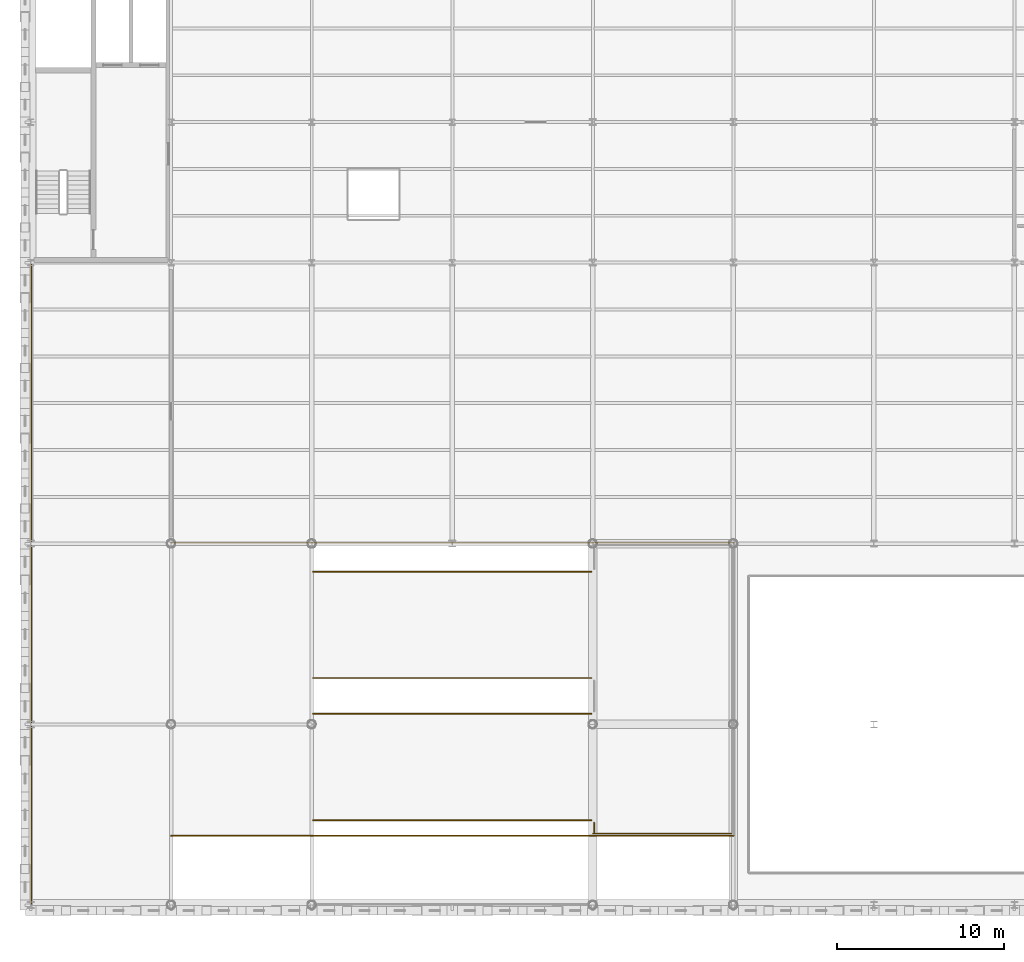
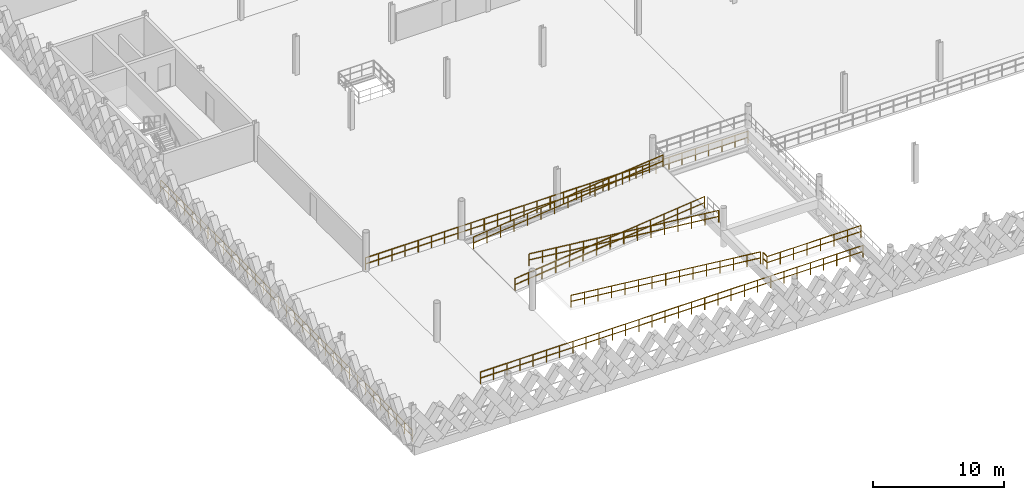
# One storey, part 69 of 79: 9 railings.
"""IFC4 building model written with IfcOpenShell, lengths in metres."""

from ifc_helpers import new_model, si_unit, direction, frame, origin, origin_2d, place, context, subcontext, project, spatial, circle, extrude, material, type_object, element, save


model = new_model("IFC4")

# Units and contexts
model_context = context("Model", 3, precision=1e-05, world=origin(), true_north=direction((0.0, 1.0)))
body_context = subcontext(model_context, "Body", "Model", "MODEL_VIEW")
ifc_project = project(units=[si_unit("LENGTHUNIT", "METRE"), si_unit("AREAUNIT", "SQUARE_METRE"), si_unit("VOLUMEUNIT", "CUBIC_METRE"), si_unit("PLANEANGLEUNIT", "RADIAN"), si_unit("MASSUNIT", "GRAM", prefix="KILO"), si_unit("THERMODYNAMICTEMPERATUREUNIT", "KELVIN"), si_unit("POWERUNIT", "WATT")], contexts=[model_context])

# Site, building, storey
site_placement = place(None, origin())
site = spatial("IfcSite", under=ifc_project, at=site_placement, CompositionType="ELEMENT")
building_placement = place(site_placement, origin())
building = spatial("IfcBuilding", under=site, at=building_placement, Name="Tembeka Court Mobility Hub", CompositionType="ELEMENT")
storey_placement = place(building_placement, frame((0.0, 0.0, 9.0)))
storey = spatial("IfcBuildingStorey", under=building, at=storey_placement, Name="L02", CompositionType="ELEMENT", Elevation=9.0)

# Railings
ifc_material = material(Name="Painted galvanised steel balustrade", Category="steel")
railing_type = type_object("IfcRailingType", Name="RL-GR02", PredefinedType="GUARDRAIL", material=ifc_material)
railing_1_placement = place(storey_placement, frame((0.050048828125, 0.080078125, 0.0)))
element("IfcRailing", 1, at=railing_1_placement, inside=storey, type_object=railing_type, Name="Perimeter guard GR02-0093", PredefinedType="GUARDRAIL", context=body_context, shape_type="SweptSolid", body=[
    extrude(circle(Radius=0.02392578125, at=origin_2d()), frame((0.0, 0.0, 1.09619140625), z_axis=(0.0, 1.0, 0.0), x_axis=(-1.0, 0.0, 0.0)), (0.0, 0.0, 1.0), 38.2900390625),
    extrude(circle(Radius=0.02392578125, at=origin_2d()), frame((0.0, 0.0, 0.5361328125), z_axis=(0.0, 1.0, 0.0), x_axis=(-1.0, 0.0, 0.0)), (0.0, 0.0, 1.0), 38.2900390625),
    extrude(circle(Radius=0.02099609375, at=origin_2d()), origin(), (0.0, 0.0, 1.0), 1.072021484375),
    extrude(circle(Radius=0.02099609375, at=origin_2d()), frame((0.0, 1.196533203125, 0.0)), (0.0, 0.0, 1.0), 1.072021484375),
    extrude(circle(Radius=0.02099609375, at=origin_2d()), frame((0.0, 2.39306640625, 0.0)), (0.0, 0.0, 1.0), 1.072021484375),
    extrude(circle(Radius=0.02099609375, at=origin_2d()), frame((0.0, 3.589599609375, 0.0)), (0.0, 0.0, 1.0), 1.072021484375),
    extrude(circle(Radius=0.02099609375, at=origin_2d()), frame((0.0, 4.7861328125, 0.0)), (0.0, 0.0, 1.0), 1.072021484375),
    extrude(circle(Radius=0.02099609375, at=origin_2d()), frame((0.0, 5.98291015625, 0.0)), (0.0, 0.0, 1.0), 1.072021484375),
    extrude(circle(Radius=0.02099609375, at=origin_2d()), frame((0.0, 7.179443359375, 0.0)), (0.0, 0.0, 1.0), 1.072021484375),
    extrude(circle(Radius=0.02099609375, at=origin_2d()), frame((0.0, 8.3759765625, 0.0)), (0.0, 0.0, 1.0), 1.072021484375),
    extrude(circle(Radius=0.02099609375, at=origin_2d()), frame((0.0, 9.572509765625, 0.0)), (0.0, 0.0, 1.0), 1.072021484375),
    extrude(circle(Radius=0.02099609375, at=origin_2d()), frame((0.0, 10.76904296875, 0.0)), (0.0, 0.0, 1.0), 1.072021484375),
    extrude(circle(Radius=0.02099609375, at=origin_2d()), frame((0.0, 11.965576171875, 0.0)), (0.0, 0.0, 1.0), 1.072021484375),
    extrude(circle(Radius=0.02099609375, at=origin_2d()), frame((0.0, 13.162109375, 0.0)), (0.0, 0.0, 1.0), 1.072021484375),
    extrude(circle(Radius=0.02099609375, at=origin_2d()), frame((0.0, 14.35888671875, 0.0)), (0.0, 0.0, 1.0), 1.072021484375),
    extrude(circle(Radius=0.02099609375, at=origin_2d()), frame((0.0, 15.555419921875, 0.0)), (0.0, 0.0, 1.0), 1.072021484375),
    extrude(circle(Radius=0.02099609375, at=origin_2d()), frame((0.0, 16.751953125, 0.0)), (0.0, 0.0, 1.0), 1.072021484375),
    extrude(circle(Radius=0.02099609375, at=origin_2d()), frame((0.0, 17.948486328125, 0.0)), (0.0, 0.0, 1.0), 1.072021484375),
    extrude(circle(Radius=0.02099609375, at=origin_2d()), frame((0.0, 19.14501953125, 0.0)), (0.0, 0.0, 1.0), 1.072021484375),
    extrude(circle(Radius=0.02099609375, at=origin_2d()), frame((0.0, 20.341552734375, 0.0)), (0.0, 0.0, 1.0), 1.072021484375),
    extrude(circle(Radius=0.02099609375, at=origin_2d()), frame((0.0, 21.5380859375, 0.0)), (0.0, 0.0, 1.0), 1.072021484375),
    extrude(circle(Radius=0.02099609375, at=origin_2d()), frame((0.0, 22.734619140625, 0.0)), (0.0, 0.0, 1.0), 1.072021484375),
    extrude(circle(Radius=0.02099609375, at=origin_2d()), frame((0.0, 23.93115234375, 0.0)), (0.0, 0.0, 1.0), 1.072021484375),
    extrude(circle(Radius=0.02099609375, at=origin_2d()), frame((0.0, 25.1279296875, 0.0)), (0.0, 0.0, 1.0), 1.072021484375),
    extrude(circle(Radius=0.02099609375, at=origin_2d()), frame((0.0, 26.324462890625, 0.0)), (0.0, 0.0, 1.0), 1.072021484375),
    extrude(circle(Radius=0.02099609375, at=origin_2d()), frame((0.0, 27.52099609375, 0.0)), (0.0, 0.0, 1.0), 1.072021484375),
    extrude(circle(Radius=0.02099609375, at=origin_2d()), frame((0.0, 28.717529296875, 0.0)), (0.0, 0.0, 1.0), 1.072021484375),
    extrude(circle(Radius=0.02099609375, at=origin_2d()), frame((0.0, 29.9140625, 0.0)), (0.0, 0.0, 1.0), 1.072021484375),
    extrude(circle(Radius=0.02099609375, at=origin_2d()), frame((0.0, 31.110595703125, 0.0)), (0.0, 0.0, 1.0), 1.072021484375),
    extrude(circle(Radius=0.02099609375, at=origin_2d()), frame((0.0, 32.30712890625, 0.0)), (0.0, 0.0, 1.0), 1.072021484375),
    extrude(circle(Radius=0.02099609375, at=origin_2d()), frame((0.0, 33.50390625, 0.0)), (0.0, 0.0, 1.0), 1.072021484375),
    extrude(circle(Radius=0.02099609375, at=origin_2d()), frame((0.0, 34.700439453125, 0.0)), (0.0, 0.0, 1.0), 1.072021484375),
    extrude(circle(Radius=0.02099609375, at=origin_2d()), frame((0.0, 35.89697265625, 0.0)), (0.0, 0.0, 1.0), 1.072021484375),
    extrude(circle(Radius=0.02099609375, at=origin_2d()), frame((0.0, 37.093505859375, 0.0)), (0.0, 0.0, 1.0), 1.072021484375),
    extrude(circle(Radius=0.02099609375, at=origin_2d()), frame((0.0, 38.2900390625, 0.0)), (0.0, 0.0, 1.0), 1.072021484375),
])
railing_2_placement = place(storey_placement, frame((8.3798828125, 4.14990234375, 0.0)))
element("IfcRailing", 2, at=railing_2_placement, inside=storey, type_object=railing_type, Name="Perimeter guard GR02-0265", PredefinedType="GUARDRAIL", context=body_context, shape_type="SweptSolid", body=[
    extrude(circle(Radius=0.02392578125, at=origin_2d()), frame((0.0, 0.0, 1.09619140625), z_axis=(1.0, 0.0, 0.0), x_axis=(0.0, 1.0, 0.0)), (0.0, 0.0, 1.0), 33.64013671875),
    extrude(circle(Radius=0.02392578125, at=origin_2d()), frame((0.0, 0.0, 0.5361328125), z_axis=(1.0, 0.0, 0.0), x_axis=(0.0, 1.0, 0.0)), (0.0, 0.0, 1.0), 33.64013671875),
    extrude(circle(Radius=0.02099609375, at=origin_2d()), origin(), (0.0, 0.0, 1.0), 1.072021484375),
    extrude(circle(Radius=0.02099609375, at=origin_2d()), frame((1.159912109375, 0.0, 0.0)), (0.0, 0.0, 1.0), 1.072021484375),
    extrude(circle(Radius=0.02099609375, at=origin_2d()), frame((2.320068359375, 0.0, 0.0)), (0.0, 0.0, 1.0), 1.072021484375),
    extrude(circle(Radius=0.02099609375, at=origin_2d()), frame((3.47998046875, 0.0, 0.0)), (0.0, 0.0, 1.0), 1.072021484375),
    extrude(circle(Radius=0.02099609375, at=origin_2d()), frame((4.64013671875, 0.0, 0.0)), (0.0, 0.0, 1.0), 1.072021484375),
    extrude(circle(Radius=0.02099609375, at=origin_2d()), frame((5.800048828125, 0.0, 0.0)), (0.0, 0.0, 1.0), 1.072021484375),
    extrude(circle(Radius=0.02099609375, at=origin_2d()), frame((6.9599609375, 0.0, 0.0)), (0.0, 0.0, 1.0), 1.072021484375),
    extrude(circle(Radius=0.02099609375, at=origin_2d()), frame((8.1201171875, 0.0, 0.0)), (0.0, 0.0, 1.0), 1.072021484375),
    extrude(circle(Radius=0.02099609375, at=origin_2d()), frame((9.280029296875, 0.0, 0.0)), (0.0, 0.0, 1.0), 1.072021484375),
    extrude(circle(Radius=0.02099609375, at=origin_2d()), frame((10.43994140625, 0.0, 0.0)), (0.0, 0.0, 1.0), 1.072021484375),
    extrude(circle(Radius=0.02099609375, at=origin_2d()), frame((11.60009765625, 0.0, 0.0)), (0.0, 0.0, 1.0), 1.072021484375),
    extrude(circle(Radius=0.02099609375, at=origin_2d()), frame((12.760009765625, 0.0, 0.0)), (0.0, 0.0, 1.0), 1.072021484375),
    extrude(circle(Radius=0.02099609375, at=origin_2d()), frame((13.920166015625, 0.0, 0.0)), (0.0, 0.0, 1.0), 1.072021484375),
    extrude(circle(Radius=0.02099609375, at=origin_2d()), frame((15.080078125, 0.0, 0.0)), (0.0, 0.0, 1.0), 1.072021484375),
    extrude(circle(Radius=0.02099609375, at=origin_2d()), frame((16.239990234375, 0.0, 0.0)), (0.0, 0.0, 1.0), 1.072021484375),
    extrude(circle(Radius=0.02099609375, at=origin_2d()), frame((17.400146484375, 0.0, 0.0)), (0.0, 0.0, 1.0), 1.072021484375),
    extrude(circle(Radius=0.02099609375, at=origin_2d()), frame((18.56005859375, 0.0, 0.0)), (0.0, 0.0, 1.0), 1.072021484375),
    extrude(circle(Radius=0.02099609375, at=origin_2d()), frame((19.719970703125, 0.0, 0.0)), (0.0, 0.0, 1.0), 1.072021484375),
    extrude(circle(Radius=0.02099609375, at=origin_2d()), frame((20.880126953125, 0.0, 0.0)), (0.0, 0.0, 1.0), 1.072021484375),
    extrude(circle(Radius=0.02099609375, at=origin_2d()), frame((22.0400390625, 0.0, 0.0)), (0.0, 0.0, 1.0), 1.072021484375),
    extrude(circle(Radius=0.02099609375, at=origin_2d()), frame((23.2001953125, 0.0, 0.0)), (0.0, 0.0, 1.0), 1.072021484375),
    extrude(circle(Radius=0.02099609375, at=origin_2d()), frame((24.360107421875, 0.0, 0.0)), (0.0, 0.0, 1.0), 1.072021484375),
    extrude(circle(Radius=0.02099609375, at=origin_2d()), frame((25.52001953125, 0.0, 0.0)), (0.0, 0.0, 1.0), 1.072021484375),
    extrude(circle(Radius=0.02099609375, at=origin_2d()), frame((26.68017578125, 0.0, 0.0)), (0.0, 0.0, 1.0), 1.072021484375),
    extrude(circle(Radius=0.02099609375, at=origin_2d()), frame((27.840087890625, 0.0, 0.0)), (0.0, 0.0, 1.0), 1.072021484375),
    extrude(circle(Radius=0.02099609375, at=origin_2d()), frame((29.0, 0.0, 0.0)), (0.0, 0.0, 1.0), 1.072021484375),
    extrude(circle(Radius=0.02099609375, at=origin_2d()), frame((30.16015625, 0.0, 0.0)), (0.0, 0.0, 1.0), 1.072021484375),
    extrude(circle(Radius=0.02099609375, at=origin_2d()), frame((31.320068359375, 0.0, 0.0)), (0.0, 0.0, 1.0), 1.072021484375),
    extrude(circle(Radius=0.02099609375, at=origin_2d()), frame((32.480224609375, 0.0, 0.0)), (0.0, 0.0, 1.0), 1.072021484375),
    extrude(circle(Radius=0.02099609375, at=origin_2d()), frame((33.64013671875, 0.0, 0.0)), (0.0, 0.0, 1.0), 1.072021484375),
])
railing_3_placement = place(storey_placement, frame((8.3798828125, 21.64990234375, 0.0)))
element("IfcRailing", 3, at=railing_3_placement, inside=storey, type_object=railing_type, Name="Perimeter guard GR02-0266", PredefinedType="GUARDRAIL", context=body_context, shape_type="SweptSolid", body=[
    extrude(circle(Radius=0.02392578125, at=origin_2d()), frame((0.0, 0.0, 1.09619140625), z_axis=(1.0, 0.0, 0.0), x_axis=(0.0, 1.0, 0.0)), (0.0, 0.0, 1.0), 33.64013671875),
    extrude(circle(Radius=0.02392578125, at=origin_2d()), frame((0.0, 0.0, 0.5361328125), z_axis=(1.0, 0.0, 0.0), x_axis=(0.0, 1.0, 0.0)), (0.0, 0.0, 1.0), 33.64013671875),
    extrude(circle(Radius=0.02099609375, at=origin_2d()), origin(), (0.0, 0.0, 1.0), 1.072021484375),
    extrude(circle(Radius=0.02099609375, at=origin_2d()), frame((1.159912109375, 0.0, 0.0)), (0.0, 0.0, 1.0), 1.072021484375),
    extrude(circle(Radius=0.02099609375, at=origin_2d()), frame((2.320068359375, 0.0, 0.0)), (0.0, 0.0, 1.0), 1.072021484375),
    extrude(circle(Radius=0.02099609375, at=origin_2d()), frame((3.47998046875, 0.0, 0.0)), (0.0, 0.0, 1.0), 1.072021484375),
    extrude(circle(Radius=0.02099609375, at=origin_2d()), frame((4.64013671875, 0.0, 0.0)), (0.0, 0.0, 1.0), 1.072021484375),
    extrude(circle(Radius=0.02099609375, at=origin_2d()), frame((5.800048828125, 0.0, 0.0)), (0.0, 0.0, 1.0), 1.072021484375),
    extrude(circle(Radius=0.02099609375, at=origin_2d()), frame((6.9599609375, 0.0, 0.0)), (0.0, 0.0, 1.0), 1.072021484375),
    extrude(circle(Radius=0.02099609375, at=origin_2d()), frame((8.1201171875, 0.0, 0.0)), (0.0, 0.0, 1.0), 1.072021484375),
    extrude(circle(Radius=0.02099609375, at=origin_2d()), frame((9.280029296875, 0.0, 0.0)), (0.0, 0.0, 1.0), 1.072021484375),
    extrude(circle(Radius=0.02099609375, at=origin_2d()), frame((10.43994140625, 0.0, 0.0)), (0.0, 0.0, 1.0), 1.072021484375),
    extrude(circle(Radius=0.02099609375, at=origin_2d()), frame((11.60009765625, 0.0, 0.0)), (0.0, 0.0, 1.0), 1.072021484375),
    extrude(circle(Radius=0.02099609375, at=origin_2d()), frame((12.760009765625, 0.0, 0.0)), (0.0, 0.0, 1.0), 1.072021484375),
    extrude(circle(Radius=0.02099609375, at=origin_2d()), frame((13.920166015625, 0.0, 0.0)), (0.0, 0.0, 1.0), 1.072021484375),
    extrude(circle(Radius=0.02099609375, at=origin_2d()), frame((15.080078125, 0.0, 0.0)), (0.0, 0.0, 1.0), 1.072021484375),
    extrude(circle(Radius=0.02099609375, at=origin_2d()), frame((16.239990234375, 0.0, 0.0)), (0.0, 0.0, 1.0), 1.072021484375),
    extrude(circle(Radius=0.02099609375, at=origin_2d()), frame((17.400146484375, 0.0, 0.0)), (0.0, 0.0, 1.0), 1.072021484375),
    extrude(circle(Radius=0.02099609375, at=origin_2d()), frame((18.56005859375, 0.0, 0.0)), (0.0, 0.0, 1.0), 1.072021484375),
    extrude(circle(Radius=0.02099609375, at=origin_2d()), frame((19.719970703125, 0.0, 0.0)), (0.0, 0.0, 1.0), 1.072021484375),
    extrude(circle(Radius=0.02099609375, at=origin_2d()), frame((20.880126953125, 0.0, 0.0)), (0.0, 0.0, 1.0), 1.072021484375),
    extrude(circle(Radius=0.02099609375, at=origin_2d()), frame((22.0400390625, 0.0, 0.0)), (0.0, 0.0, 1.0), 1.072021484375),
    extrude(circle(Radius=0.02099609375, at=origin_2d()), frame((23.2001953125, 0.0, 0.0)), (0.0, 0.0, 1.0), 1.072021484375),
    extrude(circle(Radius=0.02099609375, at=origin_2d()), frame((24.360107421875, 0.0, 0.0)), (0.0, 0.0, 1.0), 1.072021484375),
    extrude(circle(Radius=0.02099609375, at=origin_2d()), frame((25.52001953125, 0.0, 0.0)), (0.0, 0.0, 1.0), 1.072021484375),
    extrude(circle(Radius=0.02099609375, at=origin_2d()), frame((26.68017578125, 0.0, 0.0)), (0.0, 0.0, 1.0), 1.072021484375),
    extrude(circle(Radius=0.02099609375, at=origin_2d()), frame((27.840087890625, 0.0, 0.0)), (0.0, 0.0, 1.0), 1.072021484375),
    extrude(circle(Radius=0.02099609375, at=origin_2d()), frame((29.0, 0.0, 0.0)), (0.0, 0.0, 1.0), 1.072021484375),
    extrude(circle(Radius=0.02099609375, at=origin_2d()), frame((30.16015625, 0.0, 0.0)), (0.0, 0.0, 1.0), 1.072021484375),
    extrude(circle(Radius=0.02099609375, at=origin_2d()), frame((31.320068359375, 0.0, 0.0)), (0.0, 0.0, 1.0), 1.072021484375),
    extrude(circle(Radius=0.02099609375, at=origin_2d()), frame((32.480224609375, 0.0, 0.0)), (0.0, 0.0, 1.0), 1.072021484375),
    extrude(circle(Radius=0.02099609375, at=origin_2d()), frame((33.64013671875, 0.0, 0.0)), (0.0, 0.0, 1.0), 1.072021484375),
])
railing_4_placement = place(storey_placement, frame((16.869873046875, 13.570068359375, 0.003173828125)))
element("IfcRailing", 4, at=railing_4_placement, inside=storey, type_object=railing_type, Name="Perimeter guard GR02-0307", PredefinedType="GUARDRAIL", context=body_context, shape_type="SweptSolid", body=[
    extrude(circle(Radius=0.02392578125, at=origin_2d()), frame((0.0, 0.0, 1.09619140625), z_axis=(0.994254289674, 0.0, 0.107043951089), x_axis=(0.0, 1.0, 0.0)), (0.0, 0.0, 1.0), 16.756591796875),
    extrude(circle(Radius=0.02392578125, at=origin_2d()), frame((0.0, 0.0, 0.5361328125), z_axis=(0.994254289674, 0.0, 0.107043951089), x_axis=(0.0, 1.0, 0.0)), (0.0, 0.0, 1.0), 16.756591796875),
    extrude(circle(Radius=0.02099609375, at=origin_2d()), origin(), (0.0, 0.0, 1.0), 1.072021484375),
    extrude(circle(Radius=0.02099609375, at=origin_2d()), frame((1.18994140625, 0.0, 0.128173828125)), (0.0, 0.0, 1.0), 1.072021484375),
    extrude(circle(Radius=0.02099609375, at=origin_2d()), frame((2.380126953125, 0.0, 0.25634765625)), (0.0, 0.0, 1.0), 1.072021484375),
    extrude(circle(Radius=0.02099609375, at=origin_2d()), frame((3.570068359375, 0.0, 0.38427734375)), (0.0, 0.0, 1.0), 1.072021484375),
    extrude(circle(Radius=0.02099609375, at=origin_2d()), frame((4.760009765625, 0.0, 0.512451171875)), (0.0, 0.0, 1.0), 1.072021484375),
    extrude(circle(Radius=0.02099609375, at=origin_2d()), frame((5.9501953125, 0.0, 0.640625)), (0.0, 0.0, 1.0), 1.072021484375),
    extrude(circle(Radius=0.02099609375, at=origin_2d()), frame((7.14013671875, 0.0, 0.768798828125)), (0.0, 0.0, 1.0), 1.072021484375),
    extrude(circle(Radius=0.02099609375, at=origin_2d()), frame((8.330078125, 0.0, 0.89697265625)), (0.0, 0.0, 1.0), 1.072021484375),
    extrude(circle(Radius=0.02099609375, at=origin_2d()), frame((9.520263671875, 0.0, 1.02490234375)), (0.0, 0.0, 1.0), 1.072021484375),
    extrude(circle(Radius=0.02099609375, at=origin_2d()), frame((10.710205078125, 0.0, 1.153076171875)), (0.0, 0.0, 1.0), 1.072021484375),
    extrude(circle(Radius=0.02099609375, at=origin_2d()), frame((11.900390625, 0.0, 1.28125)), (0.0, 0.0, 1.0), 1.072021484375),
    extrude(circle(Radius=0.02099609375, at=origin_2d()), frame((13.09033203125, 0.0, 1.409423828125)), (0.0, 0.0, 1.0), 1.072021484375),
    extrude(circle(Radius=0.02099609375, at=origin_2d()), frame((14.2802734375, 0.0, 1.537353515625)), (0.0, 0.0, 1.0), 1.072021484375),
    extrude(circle(Radius=0.02099609375, at=origin_2d()), frame((15.470458984375, 0.0, 1.66552734375)), (0.0, 0.0, 1.0), 1.072021484375),
    extrude(circle(Radius=0.02099609375, at=origin_2d()), frame((16.660400390625, 0.0, 1.793701171875)), (0.0, 0.0, 1.0), 1.072021484375),
])
railing_5_placement = place(storey_placement, frame((33.5302734375, 5.070068359375, 1.80322265625)))
element("IfcRailing", 5, at=railing_5_placement, inside=storey, type_object=railing_type, Name="Perimeter guard GR02-0308", PredefinedType="GUARDRAIL", context=body_context, shape_type="SweptSolid", body=[
    extrude(circle(Radius=0.02392578125, at=origin_2d()), frame((0.0, 0.0, 1.09619140625), z_axis=(-0.994255840215, 0.0, 0.107029548251), x_axis=(0.0, -1.0, 0.0)), (0.0, 0.0, 1.0), 16.756591796875),
    extrude(circle(Radius=0.02392578125, at=origin_2d()), frame((0.0, 0.0, 0.5361328125), z_axis=(-0.994255840215, 0.0, 0.107029548251), x_axis=(0.0, -1.0, 0.0)), (0.0, 0.0, 1.0), 16.756591796875),
    extrude(circle(Radius=0.02099609375, at=origin_2d()), origin(), (0.0, 0.0, 1.0), 1.072021484375),
    extrude(circle(Radius=0.02099609375, at=origin_2d()), frame((-1.18994140625, 0.0, 0.128173828125)), (0.0, 0.0, 1.0), 1.072021484375),
    extrude(circle(Radius=0.02099609375, at=origin_2d()), frame((-2.380126953125, 0.0, 0.256103515625)), (0.0, 0.0, 1.0), 1.072021484375),
    extrude(circle(Radius=0.02099609375, at=origin_2d()), frame((-3.570068359375, 0.0, 0.38427734375)), (0.0, 0.0, 1.0), 1.072021484375),
    extrude(circle(Radius=0.02099609375, at=origin_2d()), frame((-4.760009765625, 0.0, 0.512451171875)), (0.0, 0.0, 1.0), 1.072021484375),
    extrude(circle(Radius=0.02099609375, at=origin_2d()), frame((-5.9501953125, 0.0, 0.640625)), (0.0, 0.0, 1.0), 1.072021484375),
    extrude(circle(Radius=0.02099609375, at=origin_2d()), frame((-7.14013671875, 0.0, 0.7685546875)), (0.0, 0.0, 1.0), 1.072021484375),
    extrude(circle(Radius=0.02099609375, at=origin_2d()), frame((-8.330078125, 0.0, 0.896728515625)), (0.0, 0.0, 1.0), 1.072021484375),
    extrude(circle(Radius=0.02099609375, at=origin_2d()), frame((-9.520263671875, 0.0, 1.02490234375)), (0.0, 0.0, 1.0), 1.072021484375),
    extrude(circle(Radius=0.02099609375, at=origin_2d()), frame((-10.710205078125, 0.0, 1.15283203125)), (0.0, 0.0, 1.0), 1.072021484375),
    extrude(circle(Radius=0.02099609375, at=origin_2d()), frame((-11.900390625, 0.0, 1.281005859375)), (0.0, 0.0, 1.0), 1.072021484375),
    extrude(circle(Radius=0.02099609375, at=origin_2d()), frame((-13.09033203125, 0.0, 1.4091796875)), (0.0, 0.0, 1.0), 1.072021484375),
    extrude(circle(Radius=0.02099609375, at=origin_2d()), frame((-14.2802734375, 0.0, 1.537353515625)), (0.0, 0.0, 1.0), 1.072021484375),
    extrude(circle(Radius=0.02099609375, at=origin_2d()), frame((-15.470458984375, 0.0, 1.665283203125)), (0.0, 0.0, 1.0), 1.072021484375),
    extrude(circle(Radius=0.02099609375, at=origin_2d()), frame((-16.660400390625, 0.0, 1.79345703125)), (0.0, 0.0, 1.0), 1.072021484375),
])
railing_6_placement = place(storey_placement, frame((16.869873046875, 19.929931640625, 0.003173828125)))
element("IfcRailing", 6, at=railing_6_placement, inside=storey, type_object=railing_type, Name="Perimeter guard GR02-0309", PredefinedType="GUARDRAIL", context=body_context, shape_type="SweptSolid", body=[
    extrude(circle(Radius=0.02392578125, at=origin_2d()), frame((0.0, 0.0, 1.09619140625), z_axis=(0.994254289674, 0.0, 0.107043951089), x_axis=(0.0, 1.0, 0.0)), (0.0, 0.0, 1.0), 16.756591796875),
    extrude(circle(Radius=0.02392578125, at=origin_2d()), frame((0.0, 0.0, 0.5361328125), z_axis=(0.994254289674, 0.0, 0.107043951089), x_axis=(0.0, 1.0, 0.0)), (0.0, 0.0, 1.0), 16.756591796875),
    extrude(circle(Radius=0.02099609375, at=origin_2d()), origin(), (0.0, 0.0, 1.0), 1.072021484375),
    extrude(circle(Radius=0.02099609375, at=origin_2d()), frame((1.18994140625, 0.0, 0.128173828125)), (0.0, 0.0, 1.0), 1.072021484375),
    extrude(circle(Radius=0.02099609375, at=origin_2d()), frame((2.380126953125, 0.0, 0.25634765625)), (0.0, 0.0, 1.0), 1.072021484375),
    extrude(circle(Radius=0.02099609375, at=origin_2d()), frame((3.570068359375, 0.0, 0.38427734375)), (0.0, 0.0, 1.0), 1.072021484375),
    extrude(circle(Radius=0.02099609375, at=origin_2d()), frame((4.760009765625, 0.0, 0.512451171875)), (0.0, 0.0, 1.0), 1.072021484375),
    extrude(circle(Radius=0.02099609375, at=origin_2d()), frame((5.9501953125, 0.0, 0.640625)), (0.0, 0.0, 1.0), 1.072021484375),
    extrude(circle(Radius=0.02099609375, at=origin_2d()), frame((7.14013671875, 0.0, 0.768798828125)), (0.0, 0.0, 1.0), 1.072021484375),
    extrude(circle(Radius=0.02099609375, at=origin_2d()), frame((8.330078125, 0.0, 0.89697265625)), (0.0, 0.0, 1.0), 1.072021484375),
    extrude(circle(Radius=0.02099609375, at=origin_2d()), frame((9.520263671875, 0.0, 1.02490234375)), (0.0, 0.0, 1.0), 1.072021484375),
    extrude(circle(Radius=0.02099609375, at=origin_2d()), frame((10.710205078125, 0.0, 1.153076171875)), (0.0, 0.0, 1.0), 1.072021484375),
    extrude(circle(Radius=0.02099609375, at=origin_2d()), frame((11.900390625, 0.0, 1.28125)), (0.0, 0.0, 1.0), 1.072021484375),
    extrude(circle(Radius=0.02099609375, at=origin_2d()), frame((13.09033203125, 0.0, 1.409423828125)), (0.0, 0.0, 1.0), 1.072021484375),
    extrude(circle(Radius=0.02099609375, at=origin_2d()), frame((14.2802734375, 0.0, 1.537353515625)), (0.0, 0.0, 1.0), 1.072021484375),
    extrude(circle(Radius=0.02099609375, at=origin_2d()), frame((15.470458984375, 0.0, 1.66552734375)), (0.0, 0.0, 1.0), 1.072021484375),
    extrude(circle(Radius=0.02099609375, at=origin_2d()), frame((16.660400390625, 0.0, 1.793701171875)), (0.0, 0.0, 1.0), 1.072021484375),
])
railing_7_placement = place(storey_placement, frame((33.5302734375, 11.429931640625, 1.80322265625)))
element("IfcRailing", 7, at=railing_7_placement, inside=storey, type_object=railing_type, Name="Perimeter guard GR02-0310", PredefinedType="GUARDRAIL", context=body_context, shape_type="SweptSolid", body=[
    extrude(circle(Radius=0.02392578125, at=origin_2d()), frame((0.0, 0.0, 1.09619140625), z_axis=(-0.994255840215, 0.0, 0.107029548251), x_axis=(0.0, -1.0, 0.0)), (0.0, 0.0, 1.0), 16.756591796875),
    extrude(circle(Radius=0.02392578125, at=origin_2d()), frame((0.0, 0.0, 0.5361328125), z_axis=(-0.994255840215, 0.0, 0.107029548251), x_axis=(0.0, -1.0, 0.0)), (0.0, 0.0, 1.0), 16.756591796875),
    extrude(circle(Radius=0.02099609375, at=origin_2d()), origin(), (0.0, 0.0, 1.0), 1.072021484375),
    extrude(circle(Radius=0.02099609375, at=origin_2d()), frame((-1.18994140625, 0.0, 0.128173828125)), (0.0, 0.0, 1.0), 1.072021484375),
    extrude(circle(Radius=0.02099609375, at=origin_2d()), frame((-2.380126953125, 0.0, 0.256103515625)), (0.0, 0.0, 1.0), 1.072021484375),
    extrude(circle(Radius=0.02099609375, at=origin_2d()), frame((-3.570068359375, 0.0, 0.38427734375)), (0.0, 0.0, 1.0), 1.072021484375),
    extrude(circle(Radius=0.02099609375, at=origin_2d()), frame((-4.760009765625, 0.0, 0.512451171875)), (0.0, 0.0, 1.0), 1.072021484375),
    extrude(circle(Radius=0.02099609375, at=origin_2d()), frame((-5.9501953125, 0.0, 0.640625)), (0.0, 0.0, 1.0), 1.072021484375),
    extrude(circle(Radius=0.02099609375, at=origin_2d()), frame((-7.14013671875, 0.0, 0.7685546875)), (0.0, 0.0, 1.0), 1.072021484375),
    extrude(circle(Radius=0.02099609375, at=origin_2d()), frame((-8.330078125, 0.0, 0.896728515625)), (0.0, 0.0, 1.0), 1.072021484375),
    extrude(circle(Radius=0.02099609375, at=origin_2d()), frame((-9.520263671875, 0.0, 1.02490234375)), (0.0, 0.0, 1.0), 1.072021484375),
    extrude(circle(Radius=0.02099609375, at=origin_2d()), frame((-10.710205078125, 0.0, 1.15283203125)), (0.0, 0.0, 1.0), 1.072021484375),
    extrude(circle(Radius=0.02099609375, at=origin_2d()), frame((-11.900390625, 0.0, 1.281005859375)), (0.0, 0.0, 1.0), 1.072021484375),
    extrude(circle(Radius=0.02099609375, at=origin_2d()), frame((-13.09033203125, 0.0, 1.4091796875)), (0.0, 0.0, 1.0), 1.072021484375),
    extrude(circle(Radius=0.02099609375, at=origin_2d()), frame((-14.2802734375, 0.0, 1.537353515625)), (0.0, 0.0, 1.0), 1.072021484375),
    extrude(circle(Radius=0.02099609375, at=origin_2d()), frame((-15.470458984375, 0.0, 1.665283203125)), (0.0, 0.0, 1.0), 1.072021484375),
    extrude(circle(Radius=0.02099609375, at=origin_2d()), frame((-16.660400390625, 0.0, 1.79345703125)), (0.0, 0.0, 1.0), 1.072021484375),
])
railing_8_placement = place(storey_placement, frame((33.6298828125, 4.280029296875, 1.800048828125)))
element("IfcRailing", 8, at=railing_8_placement, inside=storey, type_object=railing_type, Name="Perimeter guard GR02-0311", PredefinedType="GUARDRAIL", context=body_context, shape_type="SweptSolid", body=[
    extrude(circle(Radius=0.02392578125, at=origin_2d()), frame((0.0, 0.0, 1.09619140625), z_axis=(1.0, 0.0, 0.0), x_axis=(0.0, 1.0, 0.0)), (0.0, 0.0, 1.0), 8.260009765625),
    extrude(circle(Radius=0.02392578125, at=origin_2d()), frame((0.0, 0.0, 0.5361328125), z_axis=(1.0, 0.0, 0.0), x_axis=(0.0, 1.0, 0.0)), (0.0, 0.0, 1.0), 8.260009765625),
    extrude(circle(Radius=0.02099609375, at=origin_2d()), origin(), (0.0, 0.0, 1.0), 1.072021484375),
    extrude(circle(Radius=0.02099609375, at=origin_2d()), frame((1.179931640625, 0.0, 0.0)), (0.0, 0.0, 1.0), 1.072021484375),
    extrude(circle(Radius=0.02099609375, at=origin_2d()), frame((2.360107421875, 0.0, 0.0)), (0.0, 0.0, 1.0), 1.072021484375),
    extrude(circle(Radius=0.02099609375, at=origin_2d()), frame((3.5400390625, 0.0, 0.0)), (0.0, 0.0, 1.0), 1.072021484375),
    extrude(circle(Radius=0.02099609375, at=origin_2d()), frame((4.719970703125, 0.0, 0.0)), (0.0, 0.0, 1.0), 1.072021484375),
    extrude(circle(Radius=0.02099609375, at=origin_2d()), frame((5.89990234375, 0.0, 0.0)), (0.0, 0.0, 1.0), 1.072021484375),
    extrude(circle(Radius=0.02099609375, at=origin_2d()), frame((7.080078125, 0.0, 0.0)), (0.0, 0.0, 1.0), 1.072021484375),
    extrude(circle(Radius=0.02099609375, at=origin_2d()), frame((8.260009765625, 0.0, 0.0)), (0.0, 0.0, 1.0), 1.072021484375),
])
railing_9_placement = place(storey_placement, frame((33.679931640625, 4.31005859375, 1.800048828125)))
element("IfcRailing", 9, at=railing_9_placement, inside=storey, type_object=railing_type, Name="Perimeter guard GR02-0314", PredefinedType="GUARDRAIL", context=body_context, shape_type="SweptSolid", body=[
    extrude(circle(Radius=0.02392578125, at=origin_2d()), frame((0.0, 0.0, 1.09619140625), z_axis=(0.0, 1.0, 0.0), x_axis=(-1.0, 0.0, 0.0)), (0.0, 0.0, 1.0), 0.60986328125),
    extrude(circle(Radius=0.02392578125, at=origin_2d()), frame((0.0, 0.0, 0.5361328125), z_axis=(0.0, 1.0, 0.0), x_axis=(-1.0, 0.0, 0.0)), (0.0, 0.0, 1.0), 0.60986328125),
    extrude(circle(Radius=0.02099609375, at=origin_2d()), origin(), (0.0, 0.0, 1.0), 1.072021484375),
    extrude(circle(Radius=0.02099609375, at=origin_2d()), frame((0.0, 0.60986328125, 0.0)), (0.0, 0.0, 1.0), 1.072021484375),
])

save(model, "model.ifc")
